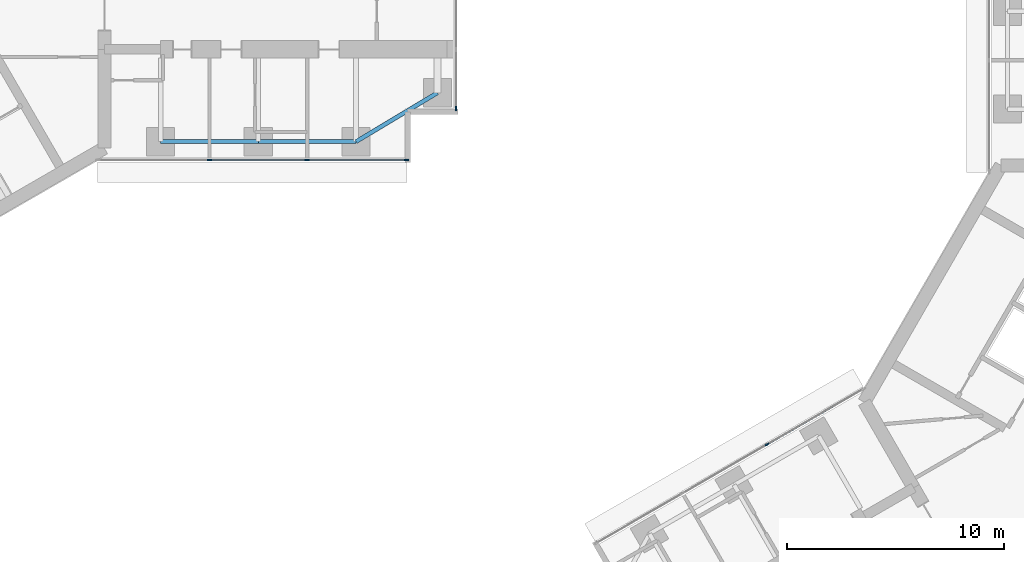
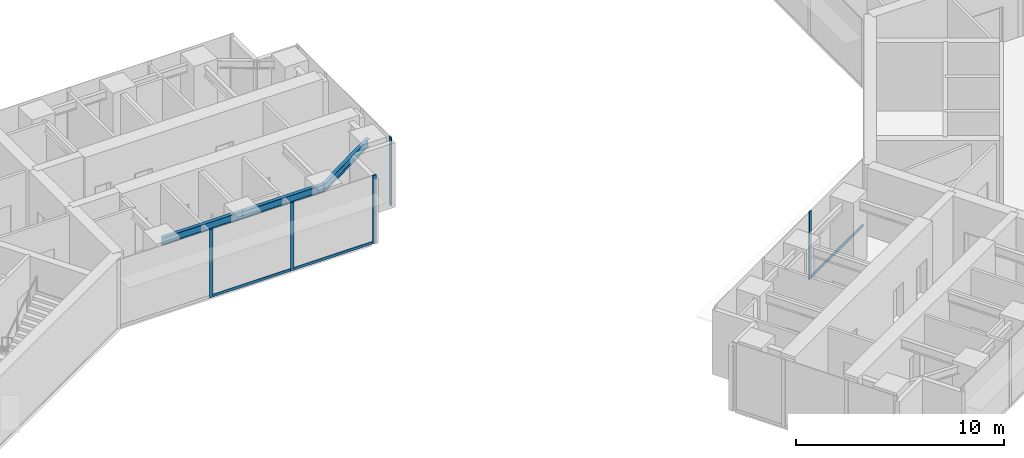
# One storey, part 4 of 22: 8 members, 3 beams, 3 elements without a shape of their own.
"""IFC4 building model written with IfcOpenShell, lengths in metres."""

from ifc_helpers import new_model, si_unit, direction, frame, origin, origin_2d, place, context, subcontext, project, spatial, rectangle, i_section, extrude, material, material_profile, profile_set, type_object, element, aggregate, save


model = new_model("IFC4")

# Units and contexts
model_context = context("Model", 3, precision=1e-05, world=origin(), true_north=direction((0.0, 1.0)))
body_context = subcontext(model_context, "Body", "Model", "MODEL_VIEW")
ifc_project = project(units=[si_unit("LENGTHUNIT", "METRE"), si_unit("AREAUNIT", "SQUARE_METRE"), si_unit("VOLUMEUNIT", "CUBIC_METRE"), si_unit("PLANEANGLEUNIT", "RADIAN"), si_unit("MASSUNIT", "GRAM", prefix="KILO")], contexts=[model_context])

# Site, building, storey
site_placement = place(None, origin())
site = spatial("IfcSite", under=ifc_project, at=site_placement, CompositionType="ELEMENT")
building_placement = place(site_placement, origin())
building = spatial("IfcBuilding", under=site, at=building_placement, Name="Upepo Twin Towers", CompositionType="ELEMENT")
storey_placement = place(building_placement, frame((0.0, 0.0, 137.5)))
storey = spatial("IfcBuildingStorey", under=building, at=storey_placement, Name="L33", CompositionType="ELEMENT", Elevation=137.5)

# Beams
ifc_material_1 = material(Name="Steel S355", Category="steel")
ifc_material_profile_1 = material_profile(ifc_material_1, i_section(OverallWidth=0.1904296875, OverallDepth=0.45703125, WebThickness=0.009033203125, FlangeThickness=0.014404296875, FilletRadius=0.01025390625, at=origin_2d()), Name="UB 457x191x74")
ifc_profile_set_1 = profile_set([ifc_material_profile_1], Name="Steel S355")
beam_type = type_object("IfcBeamType", Name="Beam UB 457x191x74", PredefinedType="BEAM", material=ifc_profile_set_1)
for number, where, z_axis, x_axis, name in (
    (1, (13.5, -6.0, 3.571533203125), (1.0, 0.0, 0.0), (0.0, 1.0, 0.0), "T1 edge beam AR 13.5-18.0"),
    (2, (18.0, -6.0, 3.571533203125), (1.0, 0.0, 0.0), (0.0, 1.0, 0.0), "T1 edge beam AR 18.0-22.5"),
):
    element("IfcBeam", number, at=place(storey_placement, frame(where, z_axis=z_axis, x_axis=x_axis)), inside=storey, type_object=beam_type, Name=name, PredefinedType="BEAM", context=body_context, shape_type="SweptSolid", body=[
        extrude(i_section(OverallWidth=0.1904296875, OverallDepth=0.45703125, WebThickness=0.009033203125, FlangeThickness=0.014404296875, FilletRadius=0.01025390625, at=origin_2d()), origin(), (0.0, 0.0, 1.0), 4.5),
    ])
beam_placement = place(storey_placement, frame((22.5, -6.0, 3.571533203125), z_axis=(0.857492925713, 0.514495755428, 0.0), x_axis=(-0.514495755428, 0.857492925713, 0.0)))
element("IfcBeam", 3, at=beam_placement, inside=storey, type_object=beam_type, Name="T1 nose edge beam AR", PredefinedType="BEAM", context=body_context, shape_type="SweptSolid", body=[
    extrude(i_section(OverallWidth=0.1904296875, OverallDepth=0.45703125, WebThickness=0.009033203125, FlangeThickness=0.014404296875, FilletRadius=0.01025390625, at=origin_2d()), origin(), (0.0, 0.0, 1.0), 4.373291015625),
])

# Curtain wall, members
ifc_material_2 = material(Name="Aluminium and fritted glass", Category="aluminium")
curtain_wall_type = type_object("IfcCurtainWallType", Name="Tower curtain wall TW2, fritted glass", PredefinedType="NOTDEFINED", material=ifc_material_2)
curtain_wall_1_placement = place(storey_placement, origin())
curtain_wall_1 = element("IfcCurtainWall", 4, at=curtain_wall_1_placement, inside=storey, type_object=curtain_wall_type, Name="T1 L33 wing A flank R curtain wall", PredefinedType="NOTDEFINED")
ifc_material_3 = material(Name="Aluminium mullion", Category="aluminium")
ifc_material_profile_2 = material_profile(ifc_material_3, rectangle(XDim=0.06494140625, YDim=0.199951171875, at=origin_2d()), Name="MULLION 65x200")
ifc_profile_set_2 = profile_set([ifc_material_profile_2], Name="Aluminium mullion")
member_type_1 = type_object("IfcMemberType", Name="Mullion 65x200 TW2", PredefinedType="MULLION", material=ifc_profile_set_2)
member_1_placement = place(storey_placement, frame((24.8173828125, -6.85009765625, 0.0), z_axis=(0.0, 0.0, 1.0), x_axis=(0.0, -1.0, 0.0)))
member_1 = element("IfcMember", 5, at=member_1_placement, type_object=member_type_1, Name="T1 L33 wing A flank R curtain wall mullion 1", PredefinedType="MULLION", context=body_context, shape_type="SweptSolid", body=[
    extrude(rectangle(XDim=0.06494140625, YDim=0.199951171875, at=origin_2d()), origin(), (0.0, 0.0, 1.0), 4.0),
])
member_2_placement = place(storey_placement, frame((20.25, -6.85009765625, 0.0), z_axis=(0.0, 0.0, 1.0), x_axis=(0.0, -1.0, 0.0)))
member_2 = element("IfcMember", 6, at=member_2_placement, type_object=member_type_1, Name="T1 L33 wing A flank R curtain wall mullion 2", PredefinedType="MULLION", context=body_context, shape_type="SweptSolid", body=[
    extrude(rectangle(XDim=0.06494140625, YDim=0.199951171875, at=origin_2d()), origin(), (0.0, 0.0, 1.0), 4.0),
])
member_3_placement = place(storey_placement, frame((15.75, -6.85009765625, 0.0), z_axis=(0.0, 0.0, 1.0), x_axis=(0.0, -1.0, 0.0)))
member_3 = element("IfcMember", 7, at=member_3_placement, type_object=member_type_1, Name="T1 L33 wing A flank R curtain wall mullion 3", PredefinedType="MULLION", context=body_context, shape_type="SweptSolid", body=[
    extrude(rectangle(XDim=0.06494140625, YDim=0.199951171875, at=origin_2d()), origin(), (0.0, 0.0, 1.0), 4.0),
])

# Curtain wall, member
curtain_wall_2_placement = place(storey_placement, origin())
curtain_wall_2 = element("IfcCurtainWall", 8, at=curtain_wall_2_placement, inside=storey, type_object=curtain_wall_type, Name="T1 L33 wing A nose curtain wall", PredefinedType="NOTDEFINED")
member_4_placement = place(storey_placement, frame((27.10009765625, -4.467529296875, 0.0), z_axis=(0.0, 0.0, 1.0), x_axis=(-1.0, 0.0, 0.0)))
member_4 = element("IfcMember", 9, at=member_4_placement, type_object=member_type_1, Name="T1 L33 wing A nose curtain wall mullion 1", PredefinedType="MULLION", context=body_context, shape_type="SweptSolid", body=[
    extrude(rectangle(XDim=0.06494140625, YDim=0.199951171875, at=origin_2d()), origin(), (0.0, 0.0, 1.0), 4.0),
])
aggregate(curtain_wall_2, [member_4])

curtain_wall_3_placement = place(storey_placement, origin())
curtain_wall_3 = element("IfcCurtainWall", 10, at=curtain_wall_3_placement, inside=storey, type_object=curtain_wall_type, Name="T2 L33 wing B flank R curtain wall", PredefinedType="NOTDEFINED")
member_5_placement = place(storey_placement, frame((41.43505859375, -19.942626953125, 0.0), z_axis=(0.0, 0.0, 1.0), x_axis=(-0.500000010308, 0.866025397833, 0.0)))
member_5 = element("IfcMember", 11, at=member_5_placement, type_object=member_type_1, Name="T2 L33 wing B flank R curtain wall mullion 3", PredefinedType="MULLION", context=body_context, shape_type="SweptSolid", body=[
    extrude(rectangle(XDim=0.06494140625, YDim=0.199951171875, at=origin_2d()), origin(), (0.0, 0.0, 1.0), 4.0),
])

# Member
ifc_material_4 = material(Name="Aluminium transom", Category="aluminium")
ifc_material_profile_3 = material_profile(ifc_material_4, rectangle(XDim=0.06494140625, YDim=0.14990234375, at=origin_2d()), Name="TRANSOM 65x150")
ifc_profile_set_3 = profile_set([ifc_material_profile_3], Name="Aluminium transom")
member_type_2 = type_object("IfcMemberType", Name="Transom 65x150 TW2", PredefinedType="USERDEFINED", material=ifc_profile_set_3)
member_6_placement = place(storey_placement, frame((24.784912109375, -6.85009765625, 0.074951171875), z_axis=(-1.0, 0.0, 0.0), x_axis=(0.0, -1.0, 0.0)))
member_6 = element("IfcMember", 12, at=member_6_placement, type_object=member_type_2, Name="T1 L33 wing A flank R curtain wall transom 1", ObjectType="TRANSOM", PredefinedType="USERDEFINED", context=body_context, shape_type="SweptSolid", body=[
    extrude(rectangle(XDim=0.06494140625, YDim=0.14990234375, at=origin_2d()), origin(), (0.0, 0.0, 1.0), 4.50244140625),
])

member_7_placement = place(storey_placement, frame((20.217529296875, -6.85009765625, 0.074951171875), z_axis=(-1.0, 0.0, 0.0), x_axis=(0.0, -1.0, 0.0)))
member_7 = element("IfcMember", 13, at=member_7_placement, type_object=member_type_2, Name="T1 L33 wing A flank R curtain wall transom 2", ObjectType="TRANSOM", PredefinedType="USERDEFINED", context=body_context, shape_type="SweptSolid", body=[
    extrude(rectangle(XDim=0.06494140625, YDim=0.14990234375, at=origin_2d()), origin(), (0.0, 0.0, 1.0), 4.43505859375),
])

aggregate(curtain_wall_1, [member_1, member_2, member_3, member_6, member_7])

member_8_placement = place(storey_placement, frame((41.463134765625, -19.926513671875, 0.074951171875), z_axis=(0.866033897268, 0.499985288567, 0.0), x_axis=(-0.499985288567, 0.866033897268, 0.0)))
member_8 = element("IfcMember", 14, at=member_8_placement, type_object=member_type_2, Name="T2 L33 wing B flank R curtain wall transom 3", ObjectType="TRANSOM", PredefinedType="USERDEFINED", context=body_context, shape_type="SweptSolid", body=[
    extrude(rectangle(XDim=0.06494140625, YDim=0.14990234375, at=origin_2d()), origin(), (0.0, 0.0, 1.0), 5.065673828125),
])

aggregate(curtain_wall_3, [member_5, member_8])

save(model, "model.ifc")
